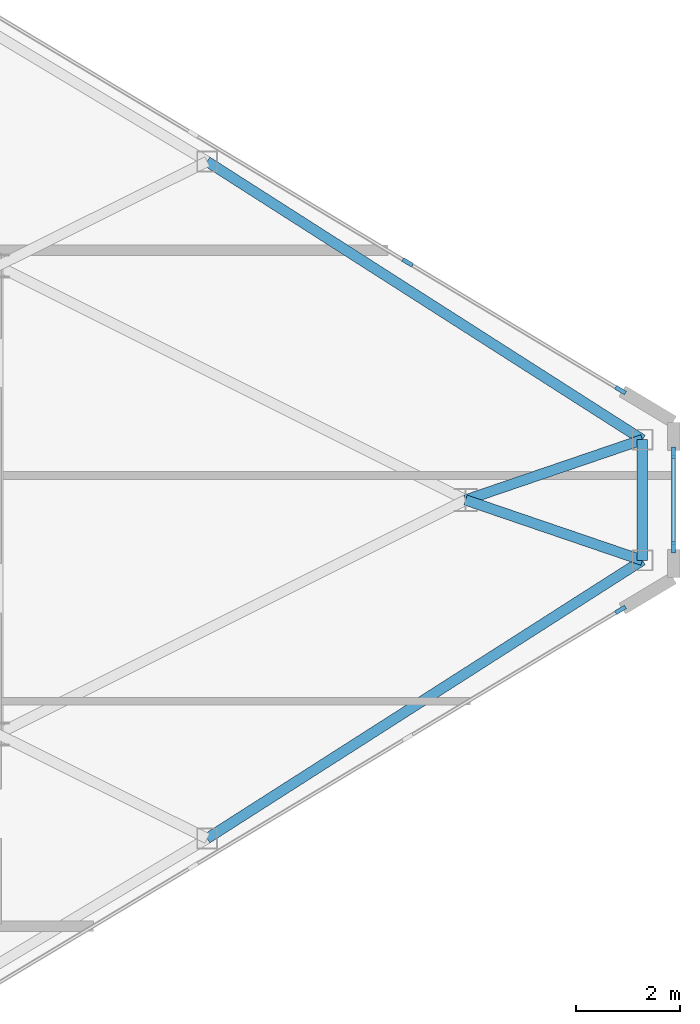
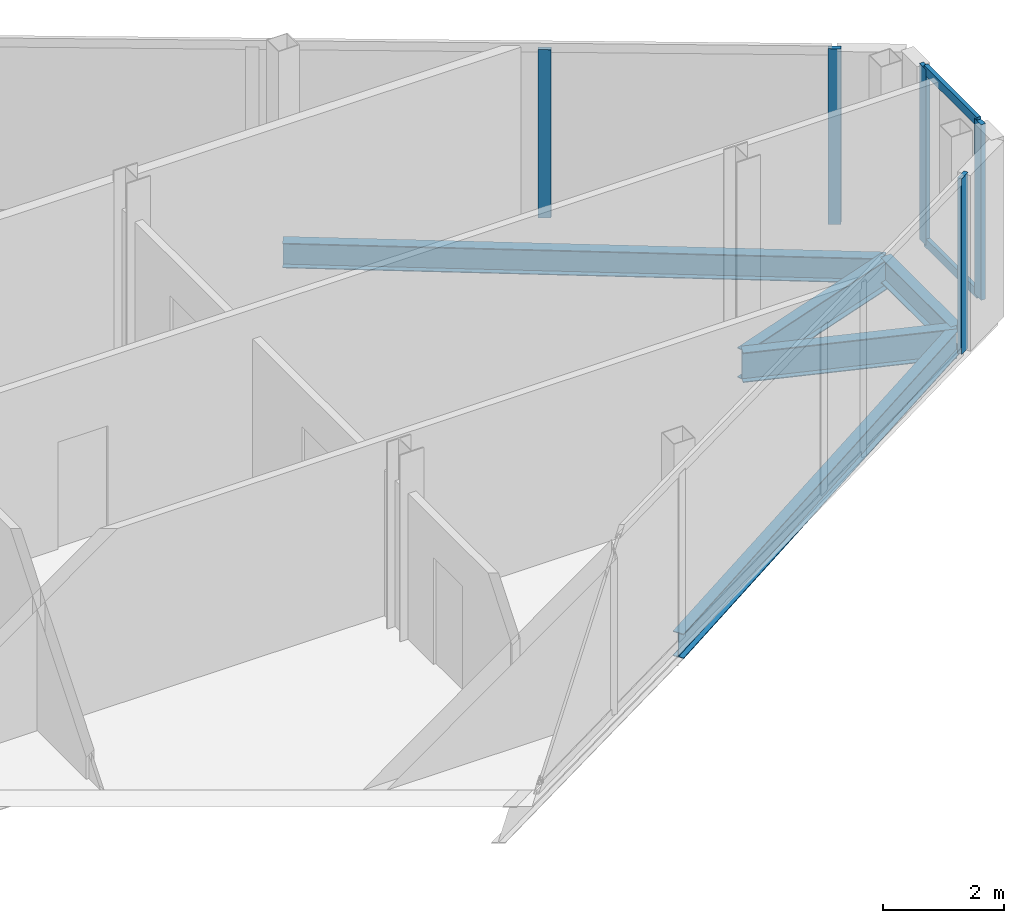
# One storey, part 18 of 29: 7 members, 5 beams, 3 elements without a shape of their own.
"""IFC4 building model written with IfcOpenShell, lengths in metres."""

import ifcopenshell
import ifcopenshell.guid

model = None  # the IFC model being written
_history = None  # IfcOwnerHistory: only IFC2X3 demands one
_inside = {}  # id of a spatial element -> (the spatial element, [elements in it])
_under = {}  # id of a project, library or spatial element -> (it, [spatial elements below it])
_declared = {}  # id of a project -> (the project, [libraries it declares])
_typed = {}  # id of a type object -> (the type object, [elements of that type])
_made_of = {}  # id of a material, layer set ... -> (it, [elements and type objects made of it])


def new_model(schema):
    """Start an empty IFC model of exactly this schema.

    Asked for "IFC4X3", IfcOpenShell would pick the latest addendum, in which some entities
    have other attributes; the version numbers below select the first issue.
    IFC2X3 requires an IfcOwnerHistory on every rooted entity: one is made here for all.
    """
    global model, _history
    if schema == "IFC4X3":
        model = ifcopenshell.file(schema_version=(4, 3, 0, 0))
    else:
        model = ifcopenshell.file(schema=schema)
    _inside.clear()
    _under.clear()
    _declared.clear()
    _typed.clear()
    _made_of.clear()
    _history = None
    if model.schema == "IFC2X3":
        org = make("IfcOrganization", Name="unknown")
        user = make(
            "IfcPersonAndOrganization",
            ThePerson=make("IfcPerson", FamilyName="unknown"),
            TheOrganization=org,
        )
        app = make(
            "IfcApplication",
            ApplicationDeveloper=org,
            Version="unknown",
            ApplicationFullName="unknown",
            ApplicationIdentifier="unknown",
        )
        _history = make(
            "IfcOwnerHistory",
            OwningUser=user,
            OwningApplication=app,
            ChangeAction="ADDED",
            CreationDate=0,
        )
    return model


def make(cls, **values):
    """One entity of the class cls with the attributes given. An attribute that is None is left unset."""
    return model.create_entity(
        cls, **{name: value for name, value in values.items() if value is not None}
    )


def rooted(cls, **values):
    """An entity with a GlobalId (a new one), such as an element, a storey or a relation."""
    return make(cls, GlobalId=ifcopenshell.guid.new(), OwnerHistory=_history, **values)


def si_unit(unit_type, name, prefix=None):
    """IfcSIUnit, for example si_unit("LENGTHUNIT", "METRE", prefix="MILLI")."""
    return make("IfcSIUnit", UnitType=unit_type, Prefix=prefix, Name=name)


def assignment(units):
    """IfcUnitAssignment: the units of a project."""
    return None if units is None else make("IfcUnitAssignment", Units=units)


def point(xyz):
    """IfcCartesianPoint."""
    return None if xyz is None else make("IfcCartesianPoint", Coordinates=xyz)


def direction(xyz):
    """IfcDirection."""
    return None if xyz is None else make("IfcDirection", DirectionRatios=xyz)


def frame(location, z_axis=None, x_axis=None):
    """IfcAxis2Placement3D, a coordinate frame: its origin and axes. An axis left out is left unset."""
    return make(
        "IfcAxis2Placement3D",
        Location=point(location),
        Axis=direction(z_axis),
        RefDirection=direction(x_axis),
    )


def frame_2d(location, x_axis=None):
    """IfcAxis2Placement2D, a coordinate frame in the plane: its origin and x axis."""
    return make(
        "IfcAxis2Placement2D", Location=point(location), RefDirection=direction(x_axis)
    )


def origin():
    """The frame at (0, 0, 0) with its axes left unset."""
    return frame((0.0, 0.0, 0.0))


def origin_2d():
    """The frame at (0, 0) in the plane with its x axis left unset."""
    return frame_2d((0.0, 0.0))


def place(relative_to, where):
    """IfcLocalPlacement: puts the frame where relative to a parent placement (None: the world)."""
    return make(
        "IfcLocalPlacement", PlacementRelTo=relative_to, RelativePlacement=where
    )


def context(
    kind, dimensions, precision=None, world=None, true_north=None, identifier=None
):
    """IfcGeometricRepresentationContext, for example the 3D "Model" context."""
    return make(
        "IfcGeometricRepresentationContext",
        ContextIdentifier=identifier,
        ContextType=kind,
        CoordinateSpaceDimension=dimensions,
        Precision=precision,
        WorldCoordinateSystem=world,
        TrueNorth=true_north,
    )


def subcontext(parent, identifier, kind, view, scale=None):
    """IfcGeometricRepresentationSubContext, for example "Body" below "Model"."""
    return make(
        "IfcGeometricRepresentationSubContext",
        ContextIdentifier=identifier,
        ContextType=kind,
        ParentContext=parent,
        TargetScale=scale,
        TargetView=view,
    )


def project(units=None, contexts=None):
    """IfcProject with its units and contexts."""
    return rooted(
        "IfcProject",
        Name="project",
        RepresentationContexts=contexts,
        UnitsInContext=assignment(units),
    )


def spatial(cls, under=None, at=None, **own):
    """A site, building, storey or space (cls), placed at a placement, below another one or the project."""
    s = rooted(cls, ObjectPlacement=at, **own)
    if under is not None:
        _under.setdefault(under.id(), (under, []))[1].append(s)
    return s


def profile(cls, at=None, kind="AREA", **sizes):
    """A parametric profile (cls). Its sizes go by their IFC names, for example OverallWidth=200.0."""
    return make(cls, ProfileType=kind, Position=at, **sizes)


def rectangle(**sizes):
    """IfcRectangleProfileDef."""
    return profile("IfcRectangleProfileDef", **sizes)


def i_section(**sizes):
    """IfcIShapeProfileDef."""
    return profile("IfcIShapeProfileDef", **sizes)


def extrude(swept, where, along, depth):
    """IfcExtrudedAreaSolid: the profile swept, set in the frame where, extruded along a direction by depth."""
    return make(
        "IfcExtrudedAreaSolid",
        SweptArea=swept,
        Position=where,
        ExtrudedDirection=direction(along),
        Depth=depth,
    )


def shape(context_of_items, identifier, shape_type, items):
    """IfcShapeRepresentation: the items that make up one representation, for example the "Body"."""
    return make(
        "IfcShapeRepresentation",
        ContextOfItems=context_of_items,
        RepresentationIdentifier=identifier,
        RepresentationType=shape_type,
        Items=items,
    )


def source(mapping_origin, context_of_items, identifier, shape_type, items):
    """IfcRepresentationMap: a shape defined once, which mapped items show again and again."""
    return make(
        "IfcRepresentationMap",
        MappingOrigin=mapping_origin,
        MappedRepresentation=shape(context_of_items, identifier, shape_type, items),
    )


def transform(
    local_origin,
    x_axis=None,
    y_axis=None,
    z_axis=None,
    scale=None,
    scale2=None,
    scale3=None,
    uniform=True,
):
    """IfcCartesianTransformationOperator3D, or its non-uniform kind. x_axis, y_axis, z_axis: its Axis1, 2, 3."""
    if uniform:
        return make(
            "IfcCartesianTransformationOperator3D",
            Axis1=direction(x_axis),
            Axis2=direction(y_axis),
            LocalOrigin=point(local_origin),
            Scale=scale,
            Axis3=direction(z_axis),
        )
    return make(
        "IfcCartesianTransformationOperator3DnonUniform",
        Axis1=direction(x_axis),
        Axis2=direction(y_axis),
        LocalOrigin=point(local_origin),
        Scale=scale,
        Axis3=direction(z_axis),
        Scale2=scale2,
        Scale3=scale3,
    )


def mapped(mapping_source, mapping_target):
    """IfcMappedItem: shows the shape of a source again, moved by a transform."""
    return make(
        "IfcMappedItem", MappingSource=mapping_source, MappingTarget=mapping_target
    )


def material(Name=None, Category=None):
    """IfcMaterial."""
    return make("IfcMaterial", Name=Name, Category=Category)


def layer(
    of_material, thickness, ventilated=None, Name=None, Category=None, Priority=None
):
    """IfcMaterialLayer: one layer of a wall or slab, of a material (None: an air gap)."""
    return make(
        "IfcMaterialLayer",
        Material=of_material,
        LayerThickness=thickness,
        IsVentilated=ventilated,
        Name=Name,
        Category=Category,
        Priority=Priority,
    )


def layer_set(layers, Name=None):
    """IfcMaterialLayerSet."""
    return make("IfcMaterialLayerSet", MaterialLayers=layers, LayerSetName=Name)


def material_profile(
    of_material, cross_section, Name=None, Category=None, Priority=None
):
    """IfcMaterialProfile: a cross section and its material."""
    return make(
        "IfcMaterialProfile",
        Name=Name,
        Material=of_material,
        Profile=cross_section,
        Priority=Priority,
        Category=Category,
    )


def profile_set(profiles, Name=None, composite=None):
    """IfcMaterialProfileSet."""
    return make(
        "IfcMaterialProfileSet",
        Name=Name,
        MaterialProfiles=profiles,
        CompositeProfile=composite,
    )


def made_of(thing, what):
    """Note that an element or type object is made of a material, layer set ...; save() writes the relation."""
    if what is not None:
        _made_of.setdefault(what.id(), (what, []))[1].append(thing)
    return thing


def type_object(cls, material=None, **own):
    """A type object (cls), such as IfcWallType, which elements share."""
    return made_of(rooted(cls, **own), material)


def type_shapes(of_type, sources):
    """Give a type object the sources (RepresentationMaps) that its elements show as mapped items."""
    of_type.RepresentationMaps = sources


def element(
    cls,
    number,
    at=None,
    inside=None,
    cuts=None,
    type_object=None,
    material=None,
    context=None,
    identifier="Body",
    shape_type=None,
    held_by="IfcProductDefinitionShape",
    body=None,
    shapes=None,
    **own,
):
    """One element of the class cls, such as IfcWall. Its Tag is "e" and its number.

    at: its placement. inside: the storey or other place that contains it. cuts: it is an
    opening in that element (IfcRelVoidsElement). A single representation is given by context,
    identifier, shape_type and body (its items); several are given by shapes. held_by: the class
    of the entity that holds the representations. save() writes the other relations.
    """
    e = rooted(cls, Tag="e%d" % number, ObjectPlacement=at, **own)
    if body is not None:
        shapes = [shape(context, identifier, shape_type, body)]
    if shapes is not None:
        e.Representation = make(held_by, Representations=shapes)
    if inside is not None:
        _inside.setdefault(inside.id(), (inside, []))[1].append(e)
    if cuts is not None:
        rooted(
            "IfcRelVoidsElement", RelatingBuildingElement=cuts, RelatedOpeningElement=e
        )
    if type_object is not None:
        _typed.setdefault(type_object.id(), (type_object, []))[1].append(e)
    return made_of(e, material)


def aggregate(whole, parts):
    """IfcRelAggregates: a whole, such as a stair, and the parts it consists of."""
    return rooted("IfcRelAggregates", RelatingObject=whole, RelatedObjects=parts)


def save(model, path):
    """Write the relations noted so far, then the file.

    IfcRelAggregates (storeys below a building ...), IfcRelContainedInSpatialStructure (elements
    in a storey), IfcRelDefinesByType, IfcRelAssociatesMaterial and IfcRelDeclares: one each for
    every whole, place, type object, material and project.
    """
    for whole, parts in _under.values():
        aggregate(whole, parts)
    for where, things in _inside.values():
        rooted(
            "IfcRelContainedInSpatialStructure",
            RelatedElements=things,
            RelatingStructure=where,
        )
    for kind, things in _typed.values():
        rooted("IfcRelDefinesByType", RelatedObjects=things, RelatingType=kind)
    for what, things in _made_of.values():
        rooted("IfcRelAssociatesMaterial", RelatedObjects=things, RelatingMaterial=what)
    for by, libraries in _declared.values():
        rooted("IfcRelDeclares", RelatingContext=by, RelatedDefinitions=libraries)
    model.write(path)


model = new_model("IFC4")

# Units and contexts
model_context = context("Model", 3, precision=1e-05, world=origin(), true_north=direction((0.0, 1.0)))
body_context = subcontext(model_context, "Body", "Model", "MODEL_VIEW")
ifc_project = project(units=[si_unit("LENGTHUNIT", "METRE"), si_unit("AREAUNIT", "SQUARE_METRE"), si_unit("VOLUMEUNIT", "CUBIC_METRE"), si_unit("PLANEANGLEUNIT", "RADIAN"), si_unit("MASSUNIT", "GRAM", prefix="KILO")], contexts=[model_context])

# Site, building, storey
site_placement = place(None, origin())
site = spatial("IfcSite", under=ifc_project, at=site_placement, CompositionType="ELEMENT")
building_placement = place(site_placement, origin())
building = spatial("IfcBuilding", under=site, at=building_placement, Name="Seokmaru Belvedere", CompositionType="ELEMENT")
storey_placement = place(building_placement, frame((0.0, 0.0, 246.89990234375)))
storey = spatial("IfcBuildingStorey", under=building, at=storey_placement, Name="L65", CompositionType="ELEMENT", Elevation=246.89990234375)

# Beams
ifc_material_1 = material(Name="Steel SM355 (355 MPa)", Category="steel")
ifc_material_profile_1 = material_profile(ifc_material_1, i_section(OverallWidth=0.199951171875, OverallDepth=0.5, WebThickness=0.010009765625, FlangeThickness=0.01611328125, at=origin_2d()), Name="H-500x200x10x16")
ifc_profile_set_1 = profile_set([ifc_material_profile_1], Name="Steel SM355 (355 MPa)")
beam_type_1 = type_object("IfcBeamType", Name="Perimeter Spandrel Beam H-500", PredefinedType="SPANDREL", material=ifc_profile_set_1)
shared_shape_1 = source(origin(), body_context, "Body", "SweptSolid", [
    extrude(i_section(OverallWidth=0.199951171875, OverallDepth=0.5, WebThickness=0.010009765625, FlangeThickness=0.01611328125, at=origin_2d()), origin(), (0.0, 0.0, 1.0), 9.932861328125),
])
for number, where, z_axis, x_axis, name in (
    (1, (58.530029296875, -6.5087890625, -0.469970703125), (0.842651960357, 0.538458609093, 0.0), (-0.538458609093, 0.842651960357, 0.0), "L65 E Faceted Flank Spandrel S-4"),
    (2, (58.530029296875, 6.5087890625, -0.469970703125), (0.842651960357, -0.538458609093, 0.0), (0.538458609093, 0.842651960357, 0.0), "L65 E Faceted Flank Spandrel N-4"),
):
    element("IfcBeam", number, at=place(storey_placement, frame(where, z_axis=z_axis, x_axis=x_axis)), inside=storey, type_object=beam_type_1, Name=name, PredefinedType="SPANDREL", context=body_context, shape_type="MappedRepresentation", body=[
        mapped(shared_shape_1, transform((0.0, 0.0, 0.0), scale=1.0)),
    ])
shared_shape_2 = source(origin(), body_context, "Body", "SweptSolid", [
    extrude(i_section(OverallWidth=0.199951171875, OverallDepth=0.5, WebThickness=0.010009765625, FlangeThickness=0.01611328125, at=origin_2d()), origin(), (0.0, 0.0, 1.0), 2.32080078125),
])
type_shapes(beam_type_1, [shared_shape_1, shared_shape_2])
beam_placement = place(storey_placement, frame((66.89990234375, -1.160400390625, -0.469970703125), z_axis=(0.0, 1.0, 0.0), x_axis=(-1.0, 0.0, 0.0)))
element("IfcBeam", 3, at=beam_placement, inside=storey, type_object=beam_type_1, Name="L65 E Faceted Apex Spandrel", PredefinedType="SPANDREL", context=body_context, shape_type="MappedRepresentation", body=[
    mapped(shared_shape_2, transform((0.0, 0.0, 0.0), scale=1.0)),
])
ifc_material_profile_2 = material_profile(ifc_material_1, i_section(OverallWidth=0.199951171875, OverallDepth=0.60009765625, WebThickness=0.010986328125, FlangeThickness=0.01708984375, at=origin_2d()), Name="H-600x200x11x17")
ifc_profile_set_2 = profile_set([ifc_material_profile_2], Name="Steel SM355 (355 MPa)")
beam_type_2 = type_object("IfcBeamType", Name="Primary Floor Girder H-600", PredefinedType="BEAM", material=ifc_profile_set_2)
shared_shape_3 = source(origin(), body_context, "Body", "SweptSolid", [
    extrude(i_section(OverallWidth=0.199951171875, OverallDepth=0.60009765625, WebThickness=0.010986328125, FlangeThickness=0.01708984375, at=origin_2d()), origin(), (0.0, 0.0, 1.0), 3.592529296875),
])
type_shapes(beam_type_2, [shared_shape_3])
for number, where, z_axis, x_axis, name in (
    (4, (66.89990234375, -1.160400390625, -0.52001953125), (-0.946395973048, 0.323008764893, 0.0), (-0.323008764893, -0.946395973048, 0.0), "L65 E Apex Radial Floor Girder 1"),
    (5, (66.89990234375, 1.160400390625, -0.52001953125), (-0.946395973048, -0.323008764893, 0.0), (0.323008764893, -0.946395973048, 0.0), "L65 E Apex Radial Floor Girder 2"),
):
    element("IfcBeam", number, at=place(storey_placement, frame(where, z_axis=z_axis, x_axis=x_axis)), inside=storey, type_object=beam_type_2, Name=name, PredefinedType="BEAM", context=body_context, shape_type="MappedRepresentation", body=[
        mapped(shared_shape_3, transform((0.0, 0.0, 0.0), scale=1.0)),
    ])

# Curtain wall, members
ifc_material_2 = material(Name="Bronze Triple Insulating Glass", Category="glass")
ifc_layer = layer(ifc_material_2, 0.219970703125)
ifc_layer_set = layer_set([ifc_layer], Name="Bronze Triple Insulating Glass")
curtain_wall_type = type_object("IfcCurtainWallType", Name="Sky-Gate Bridge Panorama Curtain Wall System CW-6", PredefinedType="NOTDEFINED", material=ifc_layer_set)
curtain_wall_1_placement = place(storey_placement, origin())
curtain_wall_1 = element("IfcCurtainWall", 6, at=curtain_wall_1_placement, inside=storey, type_object=curtain_wall_type, Name="L65 Curtain Wall EF2", PredefinedType="NOTDEFINED")
ifc_material_3 = material(Name="Anodised Bronze Aluminium", Category="aluminium")
ifc_material_profile_3 = material_profile(ifc_material_3, rectangle(XDim=0.074951171875, YDim=0.179931640625, at=origin_2d()), Name="CW-T-75x180")
ifc_profile_set_3 = profile_set([ifc_material_profile_3], Name="Anodised Bronze Aluminium")
member_type_1 = type_object("IfcMemberType", Name="Bronze Unitised Transom 75x180", PredefinedType="USERDEFINED", material=ifc_profile_set_3)
shared_shape_4 = source(origin(), body_context, "Body", "SweptSolid", [
    extrude(rectangle(XDim=0.074951171875, YDim=0.179931640625, at=origin_2d()), origin(), (0.0, 0.0, 1.0), 1.740234375),
])
type_shapes(member_type_1, [shared_shape_4])
member_1_placement = place(storey_placement, frame((67.5, -0.8701171875, 0.03759765625), z_axis=(0.0, 1.0, 0.0), x_axis=(-1.0, 0.0, 0.0)))
member_1 = element("IfcMember", 7, at=member_1_placement, type_object=member_type_1, Name="CW:L65:EF2 Continuous Transom 1", ObjectType="TRANSOM", PredefinedType="USERDEFINED", context=body_context, shape_type="MappedRepresentation", body=[
    mapped(shared_shape_4, transform((0.0, 0.0, 0.0), scale=1.0)),
])
member_2_placement = place(storey_placement, frame((67.5, -0.8701171875, 3.49267578125), z_axis=(0.0, 1.0, 0.0), x_axis=(-1.0, 0.0, 0.0)))
member_2 = element("IfcMember", 8, at=member_2_placement, type_object=member_type_1, Name="CW:L65:EF2 Continuous Transom 2", ObjectType="TRANSOM", PredefinedType="USERDEFINED", context=body_context, shape_type="MappedRepresentation", body=[
    mapped(shared_shape_4, transform((0.0, 0.0, 0.0), scale=1.0)),
])

# Curtain wall, member
curtain_wall_2_placement = place(storey_placement, origin())
curtain_wall_2 = element("IfcCurtainWall", 9, at=curtain_wall_2_placement, inside=storey, type_object=curtain_wall_type, Name="L65 Curtain Wall EF1", PredefinedType="NOTDEFINED")
ifc_material_profile_4 = material_profile(ifc_material_3, rectangle(XDim=0.080078125, YDim=0.219970703125, at=origin_2d()), Name="CW-M-80x220")
ifc_profile_set_4 = profile_set([ifc_material_profile_4], Name="Anodised Bronze Aluminium")
member_type_2 = type_object("IfcMemberType", Name="Bronze Unitised Mullion 80x220", PredefinedType="MULLION", material=ifc_profile_set_4)
shared_shape_5 = source(origin(), body_context, "Body", "SweptSolid", [
    extrude(rectangle(XDim=0.080078125, YDim=0.219970703125, at=origin_2d()), origin(), (0.0, 0.0, 1.0), 3.530029296875),
])
member_3_placement = place(storey_placement, frame((66.4794921875, -2.1123046875, 0.0), z_axis=(0.0, 0.0, 1.0), x_axis=(-0.514494909364, 0.85749343335, 0.0)))
member_3 = element("IfcMember", 10, at=member_3_placement, type_object=member_type_2, Name="CW:L65:EF1 Mullion 9", PredefinedType="MULLION", context=body_context, shape_type="MappedRepresentation", body=[
    mapped(shared_shape_5, transform((0.0, 0.0, 0.0), scale=1.0)),
])
aggregate(curtain_wall_2, [member_3])

# Member
member_4_placement = place(storey_placement, frame((67.5, -0.909912109375, 0.0), z_axis=(0.0, 0.0, 1.0), x_axis=(-1.0, 0.0, 0.0)))
member_4 = element("IfcMember", 11, at=member_4_placement, type_object=member_type_2, Name="CW:L65:EF2 Mullion 1", PredefinedType="MULLION", context=body_context, shape_type="MappedRepresentation", body=[
    mapped(shared_shape_5, transform((0.0, 0.0, 0.0), scale=1.0)),
])

member_5_placement = place(storey_placement, frame((67.5, 0.909912109375, 0.0), z_axis=(0.0, 0.0, 1.0), x_axis=(-1.0, 0.0, 0.0)))
member_5 = element("IfcMember", 12, at=member_5_placement, type_object=member_type_2, Name="CW:L65:EF2 Mullion 2", PredefinedType="MULLION", context=body_context, shape_type="MappedRepresentation", body=[
    mapped(shared_shape_5, transform((0.0, 0.0, 0.0), scale=1.0)),
])

aggregate(curtain_wall_1, [member_4, member_5, member_1, member_2])

# Curtain wall, members
curtain_wall_3_placement = place(storey_placement, origin())
curtain_wall_3 = element("IfcCurtainWall", 13, at=curtain_wall_3_placement, inside=storey, type_object=curtain_wall_type, Name="L65 Curtain Wall EF3", PredefinedType="NOTDEFINED")
member_6_placement = place(storey_placement, frame((66.4794921875, 2.1123046875, 0.0), z_axis=(0.0, 0.0, 1.0), x_axis=(-0.514494909364, -0.85749343335, 0.0)))
member_6 = element("IfcMember", 14, at=member_6_placement, type_object=member_type_2, Name="CW:L65:EF3 Mullion 1", PredefinedType="MULLION", context=body_context, shape_type="MappedRepresentation", body=[
    mapped(shared_shape_5, transform((0.0, 0.0, 0.0), scale=1.0)),
])
shared_shape_6 = source(origin(), body_context, "Body", "SweptSolid", [
    extrude(rectangle(XDim=0.080078125, YDim=0.219970703125, at=origin_2d()), origin(), (0.0, 0.0, 1.0), 3.3798828125),
])
type_shapes(member_type_2, [shared_shape_5, shared_shape_6])
member_7_placement = place(storey_placement, frame((62.385498046875, 4.56884765625, 0.0751953125), z_axis=(0.0, 0.0, 1.0), x_axis=(-0.514494909364, -0.85749343335, 0.0)))
member_7 = element("IfcMember", 15, at=member_7_placement, type_object=member_type_2, Name="CW:L65:EF3 Mullion 2", PredefinedType="MULLION", context=body_context, shape_type="MappedRepresentation", body=[
    mapped(shared_shape_6, transform((0.0, 0.0, 0.0), scale=1.0)),
])
aggregate(curtain_wall_3, [member_6, member_7])

save(model, "model.ifc")
